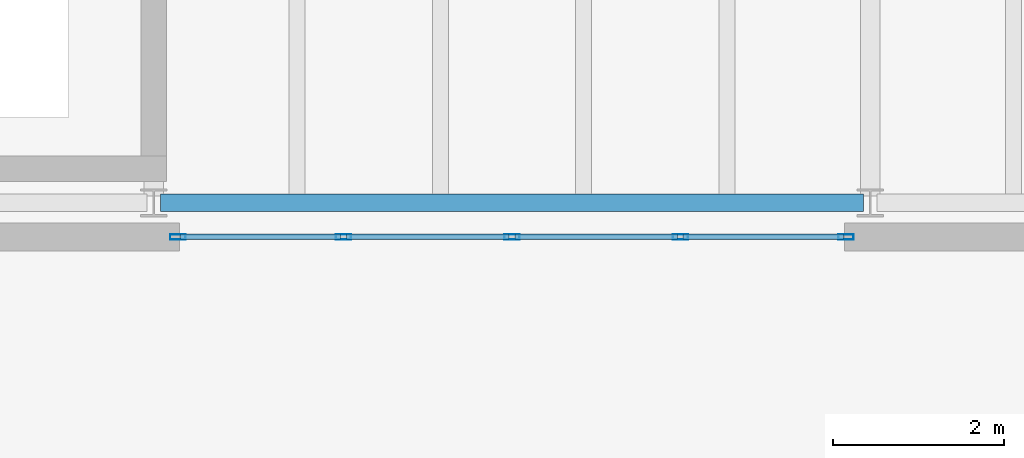
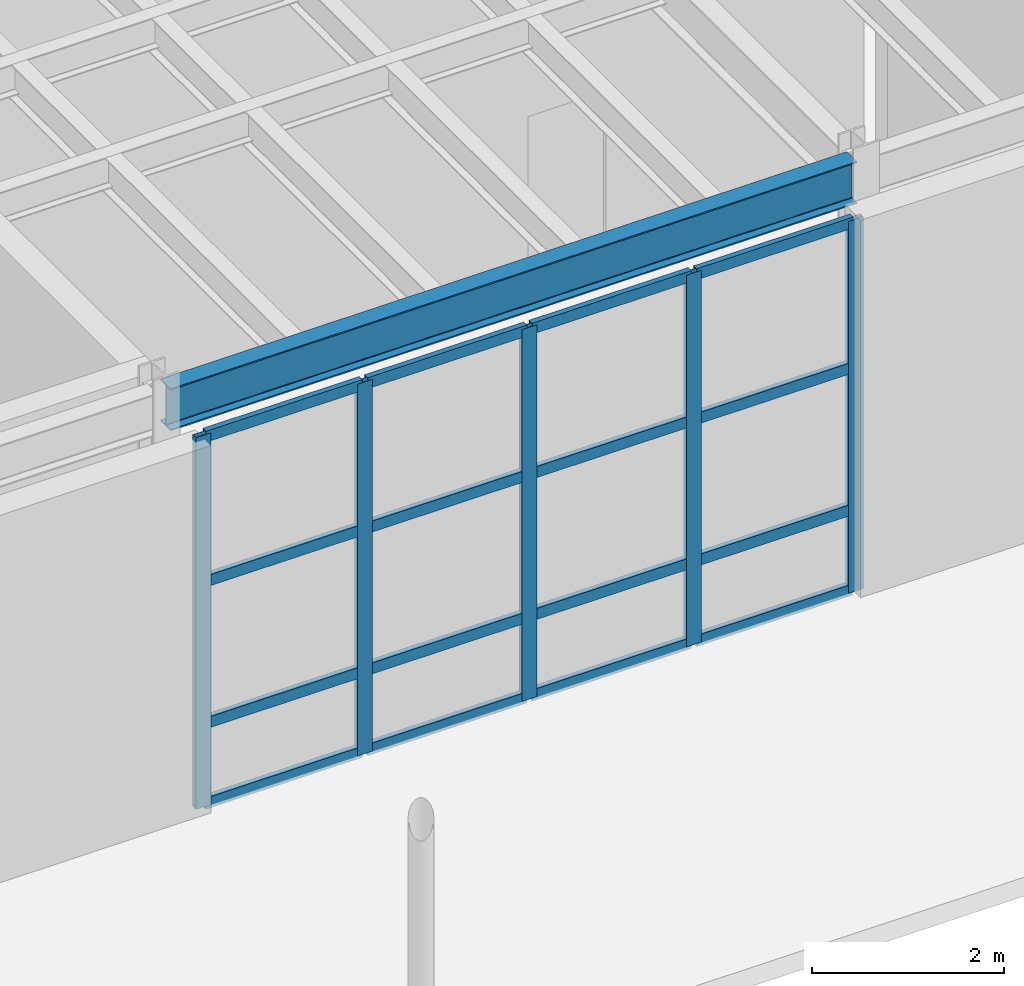
# One storey, part 36 of 87: 21 members, 1 beam, 1 element without a shape of its own.
"""IFC4 building model written with IfcOpenShell, lengths in metres."""

from ifc_helpers import new_model, si_unit, direction, frame, origin, origin_2d, place, context, subcontext, project, spatial, hollow_rectangle, i_section, extrude, material, layer, layer_set, material_profile, profile_set, type_object, element, aggregate, save


model = new_model("IFC4")

# Units and contexts
model_context = context("Model", 3, precision=1e-05, world=origin(), true_north=direction((0.0, 1.0)))
body_context = subcontext(model_context, "Body", "Model", "MODEL_VIEW")
ifc_project = project(units=[si_unit("LENGTHUNIT", "METRE"), si_unit("AREAUNIT", "SQUARE_METRE"), si_unit("VOLUMEUNIT", "CUBIC_METRE"), si_unit("PLANEANGLEUNIT", "RADIAN"), si_unit("MASSUNIT", "GRAM", prefix="KILO")], contexts=[model_context])

# Site, building, storey
site_placement = place(None, origin())
site = spatial("IfcSite", under=ifc_project, at=site_placement, CompositionType="ELEMENT")
building_placement = place(site_placement, origin())
building = spatial("IfcBuilding", under=site, at=building_placement, Name="Selat Folded Stagehouse", CompositionType="ELEMENT")
storey_placement = place(building_placement, origin())
storey = spatial("IfcBuildingStorey", under=building, at=storey_placement, Name="L00", CompositionType="ELEMENT", Elevation=0.0)

# Beam
ifc_material_1 = material(Name="Steel S355", Category="steel")
ifc_material_profile_1 = material_profile(ifc_material_1, i_section(OverallWidth=0.209228515625, OverallDepth=0.533203125, WebThickness=0.010009765625, FlangeThickness=0.015625, FilletRadius=0.0126953125, at=origin_2d()), Name="UKB 533x210x92")
ifc_profile_set_1 = profile_set([ifc_material_profile_1], Name="Steel S355")
beam_type = type_object("IfcBeamType", Name="BM-GIRD-533x210x92", PredefinedType="BEAM", material=ifc_profile_set_1)
beam_placement = place(storey_placement, frame((84.080078125, 5.800048828125, 4.91357421875), z_axis=(1.0, 0.0, 0.0), x_axis=(0.0, 1.0, 0.0)))
element("IfcBeam", 1, at=beam_placement, inside=storey, type_object=beam_type, Name="L00 primary x-girder 0505", PredefinedType="BEAM", context=body_context, shape_type="SweptSolid", body=[
    extrude(i_section(OverallWidth=0.209228515625, OverallDepth=0.533203125, WebThickness=0.010009765625, FlangeThickness=0.015625, FilletRadius=0.0126953125, at=origin_2d()), origin(), (0.0, 0.0, 1.0), 8.239990234375),
])

# Curtain wall, members
ifc_material_2 = material(Name="Aluminium 6063-T6", Category="aluminium")
ifc_layer = layer(ifc_material_2, 0.2099609375)
ifc_layer_set = layer_set([ifc_layer], Name="Aluminium 6063-T6")
curtain_wall_type = type_object("IfcCurtainWallType", Name="CW-FYR-SOUTH", PredefinedType="NOTDEFINED", material=ifc_layer_set)
curtain_wall_placement = place(storey_placement, origin())
curtain_wall = element("IfcCurtainWall", 2, at=curtain_wall_placement, inside=storey, type_object=curtain_wall_type, Name="L00 curtain wall CW-FYR-L00-04", PredefinedType="NOTDEFINED")
ifc_material_profile_2 = material_profile(ifc_material_2, hollow_rectangle(XDim=0.06494140625, YDim=0.179931640625, WallThickness=0.00390625, at=origin_2d()), Name="ALU 180x65x4.0")
ifc_profile_set_2 = profile_set([ifc_material_profile_2], Name="Aluminium 6063-T6")
member_type_1 = type_object("IfcMemberType", Name="CWM-MUL-180x65", PredefinedType="MULLION", material=ifc_profile_set_2)
member_1_placement = place(storey_placement, frame((92.117431640625, 5.39990234375, 0.0), z_axis=(0.0, 0.0, 1.0), x_axis=(0.0, -1.0, 0.0)))
member_1 = element("IfcMember", 3, at=member_1_placement, type_object=member_type_1, Name="CW-04 mullion 1", PredefinedType="MULLION", context=body_context, shape_type="SweptSolid", body=[
    extrude(hollow_rectangle(XDim=0.06494140625, YDim=0.179931640625, WallThickness=0.00390625, at=origin_2d()), origin(), (0.0, 0.0, 1.0), 4.719970703125),
])
member_2_placement = place(storey_placement, frame((90.175048828125, 5.39990234375, 0.0), z_axis=(0.0, 0.0, 1.0), x_axis=(0.0, -1.0, 0.0)))
member_2 = element("IfcMember", 4, at=member_2_placement, type_object=member_type_1, Name="CW-04 mullion 2", PredefinedType="MULLION", context=body_context, shape_type="SweptSolid", body=[
    extrude(hollow_rectangle(XDim=0.06494140625, YDim=0.179931640625, WallThickness=0.00390625, at=origin_2d()), origin(), (0.0, 0.0, 1.0), 4.719970703125),
])
member_3_placement = place(storey_placement, frame((88.199951171875, 5.39990234375, 0.0), z_axis=(0.0, 0.0, 1.0), x_axis=(0.0, -1.0, 0.0)))
member_3 = element("IfcMember", 5, at=member_3_placement, type_object=member_type_1, Name="CW-04 mullion 3", PredefinedType="MULLION", context=body_context, shape_type="SweptSolid", body=[
    extrude(hollow_rectangle(XDim=0.06494140625, YDim=0.179931640625, WallThickness=0.00390625, at=origin_2d()), origin(), (0.0, 0.0, 1.0), 4.719970703125),
])
member_4_placement = place(storey_placement, frame((86.22509765625, 5.39990234375, 0.0), z_axis=(0.0, 0.0, 1.0), x_axis=(0.0, -1.0, 0.0)))
member_4 = element("IfcMember", 6, at=member_4_placement, type_object=member_type_1, Name="CW-04 mullion 4", PredefinedType="MULLION", context=body_context, shape_type="SweptSolid", body=[
    extrude(hollow_rectangle(XDim=0.06494140625, YDim=0.179931640625, WallThickness=0.00390625, at=origin_2d()), origin(), (0.0, 0.0, 1.0), 4.719970703125),
])
member_5_placement = place(storey_placement, frame((84.282470703125, 5.39990234375, 0.0), z_axis=(0.0, 0.0, 1.0), x_axis=(0.0, -1.0, 0.0)))
member_5 = element("IfcMember", 7, at=member_5_placement, type_object=member_type_1, Name="CW-04 mullion 5", PredefinedType="MULLION", context=body_context, shape_type="SweptSolid", body=[
    extrude(hollow_rectangle(XDim=0.06494140625, YDim=0.179931640625, WallThickness=0.00390625, at=origin_2d()), origin(), (0.0, 0.0, 1.0), 4.719970703125),
])
ifc_material_profile_3 = material_profile(ifc_material_2, hollow_rectangle(XDim=0.06494140625, YDim=0.139892578125, WallThickness=0.00390625, at=origin_2d()), Name="ALU 140x65x4.0")
ifc_profile_set_3 = profile_set([ifc_material_profile_3], Name="Aluminium 6063-T6")
member_type_2 = type_object("IfcMemberType", Name="CWM-TRN-140x65", PredefinedType="USERDEFINED", material=ifc_profile_set_3)
member_6_placement = place(storey_placement, frame((92.0849609375, 5.39990234375, 0.032470703125), z_axis=(-1.0, 0.0, 0.0), x_axis=(0.0, -1.0, 0.0)))
member_6 = element("IfcMember", 8, at=member_6_placement, type_object=member_type_2, Name="CW-04 transom 1.1", ObjectType="TRANSOM", PredefinedType="USERDEFINED", context=body_context, shape_type="SweptSolid", body=[
    extrude(hollow_rectangle(XDim=0.06494140625, YDim=0.139892578125, WallThickness=0.00390625, at=origin_2d()), origin(), (0.0, 0.0, 1.0), 1.87744140625),
])
member_7_placement = place(storey_placement, frame((92.0849609375, 5.39990234375, 1.050048828125), z_axis=(-1.0, 0.0, 0.0), x_axis=(0.0, -1.0, 0.0)))
member_7 = element("IfcMember", 9, at=member_7_placement, type_object=member_type_2, Name="CW-04 transom 1.2", ObjectType="TRANSOM", PredefinedType="USERDEFINED", context=body_context, shape_type="SweptSolid", body=[
    extrude(hollow_rectangle(XDim=0.06494140625, YDim=0.139892578125, WallThickness=0.00390625, at=origin_2d()), origin(), (0.0, 0.0, 1.0), 1.87744140625),
])
member_8_placement = place(storey_placement, frame((92.0849609375, 5.39990234375, 2.85009765625), z_axis=(-1.0, 0.0, 0.0), x_axis=(0.0, -1.0, 0.0)))
member_8 = element("IfcMember", 10, at=member_8_placement, type_object=member_type_2, Name="CW-04 transom 1.3", ObjectType="TRANSOM", PredefinedType="USERDEFINED", context=body_context, shape_type="SweptSolid", body=[
    extrude(hollow_rectangle(XDim=0.06494140625, YDim=0.139892578125, WallThickness=0.00390625, at=origin_2d()), origin(), (0.0, 0.0, 1.0), 1.87744140625),
])
member_9_placement = place(storey_placement, frame((92.0849609375, 5.39990234375, 4.6875), z_axis=(-1.0, 0.0, 0.0), x_axis=(0.0, -1.0, 0.0)))
member_9 = element("IfcMember", 11, at=member_9_placement, type_object=member_type_2, Name="CW-04 transom 1.4", ObjectType="TRANSOM", PredefinedType="USERDEFINED", context=body_context, shape_type="SweptSolid", body=[
    extrude(hollow_rectangle(XDim=0.06494140625, YDim=0.139892578125, WallThickness=0.00390625, at=origin_2d()), origin(), (0.0, 0.0, 1.0), 1.87744140625),
])
member_10_placement = place(storey_placement, frame((90.142578125, 5.39990234375, 0.032470703125), z_axis=(-1.0, 0.0, 0.0), x_axis=(0.0, -1.0, 0.0)))
member_10 = element("IfcMember", 12, at=member_10_placement, type_object=member_type_2, Name="CW-04 transom 2.1", ObjectType="TRANSOM", PredefinedType="USERDEFINED", context=body_context, shape_type="SweptSolid", body=[
    extrude(hollow_rectangle(XDim=0.06494140625, YDim=0.139892578125, WallThickness=0.00390625, at=origin_2d()), origin(), (0.0, 0.0, 1.0), 1.91015625),
])
member_11_placement = place(storey_placement, frame((90.142578125, 5.39990234375, 1.050048828125), z_axis=(-1.0, 0.0, 0.0), x_axis=(0.0, -1.0, 0.0)))
member_11 = element("IfcMember", 13, at=member_11_placement, type_object=member_type_2, Name="CW-04 transom 2.2", ObjectType="TRANSOM", PredefinedType="USERDEFINED", context=body_context, shape_type="SweptSolid", body=[
    extrude(hollow_rectangle(XDim=0.06494140625, YDim=0.139892578125, WallThickness=0.00390625, at=origin_2d()), origin(), (0.0, 0.0, 1.0), 1.91015625),
])
member_12_placement = place(storey_placement, frame((90.142578125, 5.39990234375, 2.85009765625), z_axis=(-1.0, 0.0, 0.0), x_axis=(0.0, -1.0, 0.0)))
member_12 = element("IfcMember", 14, at=member_12_placement, type_object=member_type_2, Name="CW-04 transom 2.3", ObjectType="TRANSOM", PredefinedType="USERDEFINED", context=body_context, shape_type="SweptSolid", body=[
    extrude(hollow_rectangle(XDim=0.06494140625, YDim=0.139892578125, WallThickness=0.00390625, at=origin_2d()), origin(), (0.0, 0.0, 1.0), 1.91015625),
])
member_13_placement = place(storey_placement, frame((90.142578125, 5.39990234375, 4.6875), z_axis=(-1.0, 0.0, 0.0), x_axis=(0.0, -1.0, 0.0)))
member_13 = element("IfcMember", 15, at=member_13_placement, type_object=member_type_2, Name="CW-04 transom 2.4", ObjectType="TRANSOM", PredefinedType="USERDEFINED", context=body_context, shape_type="SweptSolid", body=[
    extrude(hollow_rectangle(XDim=0.06494140625, YDim=0.139892578125, WallThickness=0.00390625, at=origin_2d()), origin(), (0.0, 0.0, 1.0), 1.91015625),
])
member_14_placement = place(storey_placement, frame((88.16748046875, 5.39990234375, 0.032470703125), z_axis=(-1.0, 0.0, 0.0), x_axis=(0.0, -1.0, 0.0)))
member_14 = element("IfcMember", 16, at=member_14_placement, type_object=member_type_2, Name="CW-04 transom 3.1", ObjectType="TRANSOM", PredefinedType="USERDEFINED", context=body_context, shape_type="SweptSolid", body=[
    extrude(hollow_rectangle(XDim=0.06494140625, YDim=0.139892578125, WallThickness=0.00390625, at=origin_2d()), origin(), (0.0, 0.0, 1.0), 1.909912109375),
])
member_15_placement = place(storey_placement, frame((88.16748046875, 5.39990234375, 1.050048828125), z_axis=(-1.0, 0.0, 0.0), x_axis=(0.0, -1.0, 0.0)))
member_15 = element("IfcMember", 17, at=member_15_placement, type_object=member_type_2, Name="CW-04 transom 3.2", ObjectType="TRANSOM", PredefinedType="USERDEFINED", context=body_context, shape_type="SweptSolid", body=[
    extrude(hollow_rectangle(XDim=0.06494140625, YDim=0.139892578125, WallThickness=0.00390625, at=origin_2d()), origin(), (0.0, 0.0, 1.0), 1.909912109375),
])
member_16_placement = place(storey_placement, frame((88.16748046875, 5.39990234375, 2.85009765625), z_axis=(-1.0, 0.0, 0.0), x_axis=(0.0, -1.0, 0.0)))
member_16 = element("IfcMember", 18, at=member_16_placement, type_object=member_type_2, Name="CW-04 transom 3.3", ObjectType="TRANSOM", PredefinedType="USERDEFINED", context=body_context, shape_type="SweptSolid", body=[
    extrude(hollow_rectangle(XDim=0.06494140625, YDim=0.139892578125, WallThickness=0.00390625, at=origin_2d()), origin(), (0.0, 0.0, 1.0), 1.909912109375),
])
member_17_placement = place(storey_placement, frame((88.16748046875, 5.39990234375, 4.6875), z_axis=(-1.0, 0.0, 0.0), x_axis=(0.0, -1.0, 0.0)))
member_17 = element("IfcMember", 19, at=member_17_placement, type_object=member_type_2, Name="CW-04 transom 3.4", ObjectType="TRANSOM", PredefinedType="USERDEFINED", context=body_context, shape_type="SweptSolid", body=[
    extrude(hollow_rectangle(XDim=0.06494140625, YDim=0.139892578125, WallThickness=0.00390625, at=origin_2d()), origin(), (0.0, 0.0, 1.0), 1.909912109375),
])
member_18_placement = place(storey_placement, frame((86.1923828125, 5.39990234375, 0.032470703125), z_axis=(-1.0, 0.0, 0.0), x_axis=(0.0, -1.0, 0.0)))
member_18 = element("IfcMember", 20, at=member_18_placement, type_object=member_type_2, Name="CW-04 transom 4.1", ObjectType="TRANSOM", PredefinedType="USERDEFINED", context=body_context, shape_type="SweptSolid", body=[
    extrude(hollow_rectangle(XDim=0.06494140625, YDim=0.139892578125, WallThickness=0.00390625, at=origin_2d()), origin(), (0.0, 0.0, 1.0), 1.87744140625),
])
member_19_placement = place(storey_placement, frame((86.1923828125, 5.39990234375, 1.050048828125), z_axis=(-1.0, 0.0, 0.0), x_axis=(0.0, -1.0, 0.0)))
member_19 = element("IfcMember", 21, at=member_19_placement, type_object=member_type_2, Name="CW-04 transom 4.2", ObjectType="TRANSOM", PredefinedType="USERDEFINED", context=body_context, shape_type="SweptSolid", body=[
    extrude(hollow_rectangle(XDim=0.06494140625, YDim=0.139892578125, WallThickness=0.00390625, at=origin_2d()), origin(), (0.0, 0.0, 1.0), 1.87744140625),
])
member_20_placement = place(storey_placement, frame((86.1923828125, 5.39990234375, 2.85009765625), z_axis=(-1.0, 0.0, 0.0), x_axis=(0.0, -1.0, 0.0)))
member_20 = element("IfcMember", 22, at=member_20_placement, type_object=member_type_2, Name="CW-04 transom 4.3", ObjectType="TRANSOM", PredefinedType="USERDEFINED", context=body_context, shape_type="SweptSolid", body=[
    extrude(hollow_rectangle(XDim=0.06494140625, YDim=0.139892578125, WallThickness=0.00390625, at=origin_2d()), origin(), (0.0, 0.0, 1.0), 1.87744140625),
])
member_21_placement = place(storey_placement, frame((86.1923828125, 5.39990234375, 4.6875), z_axis=(-1.0, 0.0, 0.0), x_axis=(0.0, -1.0, 0.0)))
member_21 = element("IfcMember", 23, at=member_21_placement, type_object=member_type_2, Name="CW-04 transom 4.4", ObjectType="TRANSOM", PredefinedType="USERDEFINED", context=body_context, shape_type="SweptSolid", body=[
    extrude(hollow_rectangle(XDim=0.06494140625, YDim=0.139892578125, WallThickness=0.00390625, at=origin_2d()), origin(), (0.0, 0.0, 1.0), 1.87744140625),
])
aggregate(curtain_wall, [member_1, member_2, member_3, member_4, member_5, member_6, member_7, member_8, member_9, member_10, member_11, member_12, member_13, member_14, member_15, member_16, member_17, member_18, member_19, member_20, member_21])

save(model, "model.ifc")
